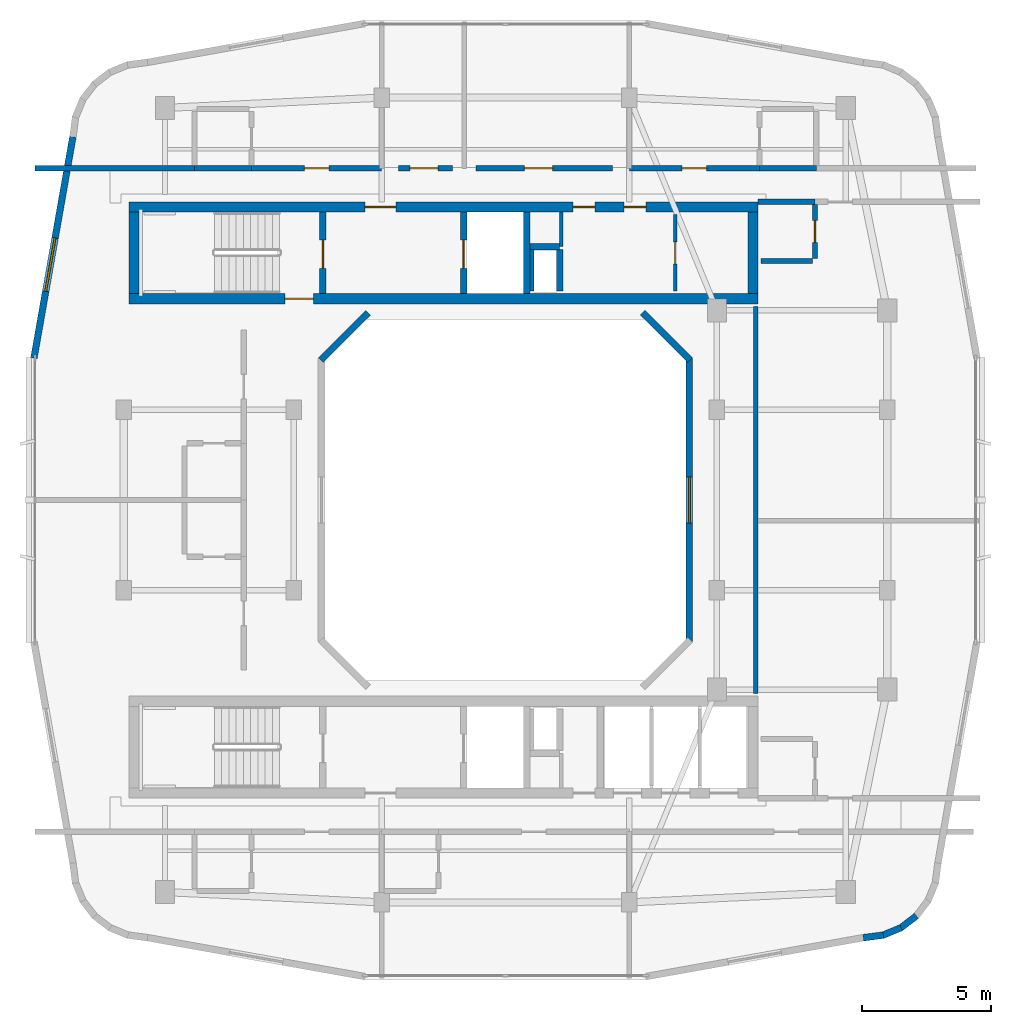
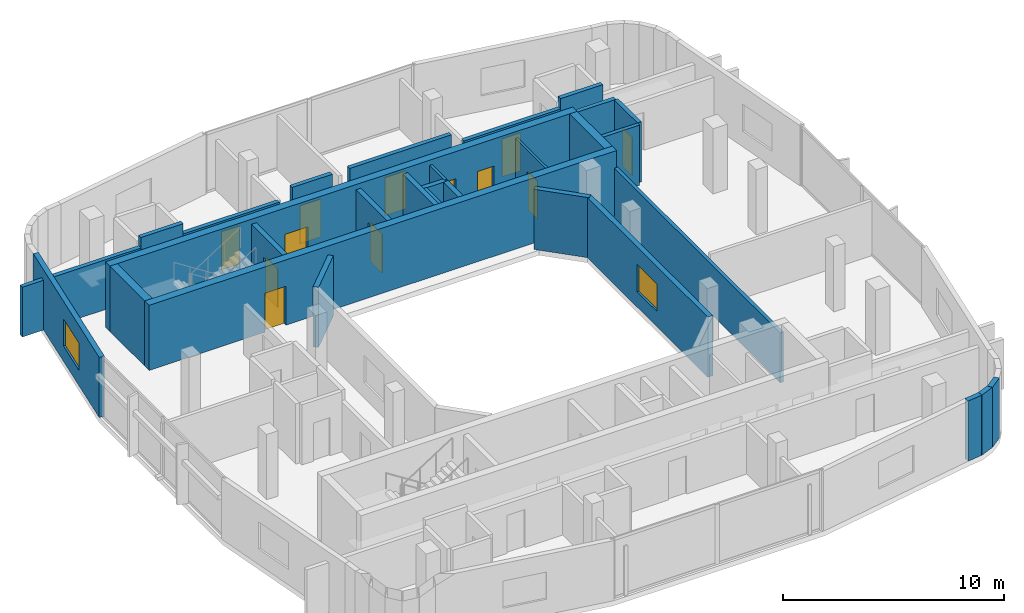
# One storey, part 6 of 10: 30 walls, 12 doors, 2 windows, 14 openings.
"""IFC4 building model written with IfcOpenShell, lengths in metres."""

from ifc_helpers import new_model, si_unit, derived_unit, direction, frame, frame_2d, origin, place, context, subcontext, project, spatial, rectangle, extrude, material, layer, layer_set, type_object, element, fill, save


model = new_model("IFC4")

# Units and contexts
model_context = context("Model", 3, precision=1e-05, world=origin(), true_north=direction((0.0, 1.0)))
body_context = subcontext(model_context, "Body", "Model", "MODEL_VIEW")
ifc_project = project(units=[si_unit("LENGTHUNIT", "METRE"), si_unit("AREAUNIT", "SQUARE_METRE"), si_unit("VOLUMEUNIT", "CUBIC_METRE"), si_unit("PLANEANGLEUNIT", "RADIAN"), si_unit("MASSUNIT", "GRAM", prefix="KILO"), derived_unit("THERMALTRANSMITTANCEUNIT", [(si_unit("POWERUNIT", "WATT"), 1), (si_unit("LENGTHUNIT", "METRE"), -2), (si_unit("THERMODYNAMICTEMPERATUREUNIT", "KELVIN"), -1)])], contexts=[model_context])

# Site, building, storey
site_placement = place(None, origin())
site = spatial("IfcSite", under=ifc_project, at=site_placement, CompositionType="ELEMENT")
building_placement = place(site_placement, origin())
building = spatial("IfcBuilding", under=site, at=building_placement, Name="Kivonza Crest Hotel", CompositionType="ELEMENT")
storey_placement = place(building_placement, frame((0.0, 0.0, 246.800048828125)))
storey = spatial("IfcBuildingStorey", under=building, at=storey_placement, Name="L67", CompositionType="ELEMENT", Elevation=246.800048828125)

# Walls
ifc_material_1 = material(Name="High-density acoustic masonry inter-tenancy wall", Category="masonry")
ifc_layer_1 = layer(ifc_material_1, 0.179931640625)
ifc_layer_set_1 = layer_set([ifc_layer_1], Name="High-density acoustic masonry inter-tenancy wall")
wall_type_1 = type_object("IfcWallType", Name="WL-ACOU-180", PredefinedType="SOLIDWALL", material=ifc_layer_set_1)
wall_1_placement = place(storey_placement, frame((30.7099609375, 17.5, 0.0), z_axis=(0.0, 0.0, 1.0), x_axis=(0.0, 1.0, 0.0)))
element("IfcWall", 1, at=wall_1_placement, inside=storey, type_object=wall_type_1, Name="L67 interior partition WA-L67-T1EC-W", PredefinedType="SOLIDWALL", context=body_context, shape_type="SweptSolid", body=[
    extrude(rectangle(XDim=15.0, YDim=0.179931640625, at=frame_2d((7.5, 0.0))), origin(), (0.0, 0.0, 1.0), 2.744873046875),
])
ifc_material_2 = material(Name="Autoclaved aerated concrete blockwork", Category="masonry")
ifc_layer_2 = layer(ifc_material_2, 0.219970703125)
ifc_layer_set_2 = layer_set([ifc_layer_2], Name="Autoclaved aerated concrete blockwork")
wall_type_2 = type_object("IfcWallType", Name="WL-ACOU-220", PredefinedType="SOLIDWALL", material=ifc_layer_set_2)
wall_2_placement = place(storey_placement, frame((2.760009765625, 37.860107421875, 0.0), z_axis=(0.0, 0.0, 1.0), x_axis=(1.0, 0.0, 0.0)))
element("IfcWall", 2, at=wall_2_placement, inside=storey, type_object=wall_type_2, Name="L67 interior partition WA-L67-N01-XCORR", PredefinedType="SOLIDWALL", context=body_context, shape_type="SweptSolid", body=[
    extrude(rectangle(XDim=6.18994140625, YDim=0.219970703125, at=frame_2d((3.094970703125, 0.0))), origin(), (0.0, 0.0, 1.0), 2.744873046875),
])
wall_3_placement = place(storey_placement, frame((8.949951171875, 37.860107421875, 0.0), z_axis=(0.0, 0.0, 1.0), x_axis=(1.0, 0.0, 0.0)))
element("IfcWall", 3, at=wall_3_placement, inside=storey, type_object=wall_type_2, Name="L67 interior partition WA-L67-N01-BCORR", PredefinedType="SOLIDWALL", context=body_context, shape_type="SweptSolid", body=[
    extrude(rectangle(XDim=2.199951171875, YDim=0.219970703125, at=frame_2d((1.10009765625, 0.0))), origin(), (0.0, 0.0, 1.0), 3.320068359375),
])

# Wall, opening, door
wall_4_placement = place(storey_placement, frame((11.14990234375, 37.860107421875, 0.0), z_axis=(0.0, 0.0, 1.0), x_axis=(1.0, 0.0, 0.0)))
wall_4 = element("IfcWall", 4, at=wall_4_placement, inside=storey, type_object=wall_type_2, Name="L67 interior partition WA-L67-N01-MCORR", PredefinedType="SOLIDWALL", context=body_context, shape_type="SweptSolid", body=[
    extrude(rectangle(XDim=5.050048828125, YDim=0.219970703125, at=frame_2d((2.52490234375, 0.0))), origin(), (0.0, 0.0, 1.0), 2.744873046875),
])
opening_1_placement = place(wall_4_placement, frame((2.050048828125, 0.0, 0.0)))
opening_1 = element("IfcOpeningElement", 5, at=opening_1_placement, cuts=wall_4, Name="Opening DU-60", PredefinedType="OPENING", context=body_context, shape_type="SweptSolid", body=[
    extrude(rectangle(XDim=0.949951171875, YDim=2.10009765625, at=frame_2d((0.47509765625, 1.050048828125))), frame((0.0, 0.1201171875, 0.0), z_axis=(0.0, -1.0, 0.0), x_axis=(1.0, 0.0, 0.0)), (0.0, 0.0, 1.0), 0.239990234375),
])
ifc_material_3 = material(Name="Hardwood timber oak", Category="wood")
door_type_1 = type_object("IfcDoorType", Name="DR-UNIT-950", OperationType="NOTDEFINED", PredefinedType="DOOR", material=ifc_material_3)
door_1_placement = place(opening_1_placement, origin())
door_1 = element("IfcDoor", 6, at=door_1_placement, inside=storey, type_object=door_type_1, Name="L67 N01 guest unit entrance fire door", OperationType="SINGLE_SWING_LEFT", OverallHeight=2.10009765625, OverallWidth=0.949951171875, PredefinedType="DOOR", context=body_context, shape_type="SweptSolid", body=[
    extrude(rectangle(XDim=0.949951171875, YDim=2.10009765625, at=frame_2d((0.47509765625, 1.050048828125))), frame((0.0, 0.02490234375, 0.0), z_axis=(0.0, -1.0, 0.0), x_axis=(1.0, 0.0, 0.0)), (0.0, 0.0, 1.0), 0.050048828125),
])
fill(opening_1, door_1)

wall_5_placement = place(storey_placement, frame((16.85009765625, 37.860107421875, 0.0), z_axis=(0.0, 0.0, 1.0), x_axis=(1.0, 0.0, 0.0)))
wall_5 = element("IfcWall", 7, at=wall_5_placement, inside=storey, type_object=wall_type_2, Name="L67 interior partition WA-L67-Z4-KIT1-S", PredefinedType="SOLIDWALL", context=body_context, shape_type="SweptSolid", body=[
    extrude(rectangle(XDim=2.099853515625, YDim=0.219970703125, at=frame_2d((1.0498046875, 0.0))), origin(), (0.0, 0.0, 1.0), 3.320068359375),
])
opening_2_placement = place(wall_5_placement, frame((0.43994140625, 0.0, 0.0)))
opening_2 = element("IfcOpeningElement", 8, at=opening_2_placement, cuts=wall_5, Name="Opening DF-60M", PredefinedType="OPENING", context=body_context, shape_type="SweptSolid", body=[
    extrude(rectangle(XDim=1.10009765625, YDim=2.10009765625, at=frame_2d((0.550048828125, 1.050048828125))), frame((0.0, 0.1201171875, 0.0), z_axis=(0.0, -1.0, 0.0), x_axis=(1.0, 0.0, 0.0)), (0.0, 0.0, 1.0), 0.239990234375),
])
door_type_2 = type_object("IfcDoorType", Name="DR-FD60-1100", OperationType="NOTDEFINED", PredefinedType="DOOR", material=ifc_material_3)
door_2_placement = place(opening_2_placement, origin())
door_2 = element("IfcDoor", 9, at=door_2_placement, inside=storey, type_object=door_type_2, Name="L67 Crown Private Catering Kitchen door", OperationType="SINGLE_SWING_RIGHT", OverallHeight=2.10009765625, OverallWidth=1.10009765625, PredefinedType="DOOR", context=body_context, shape_type="SweptSolid", body=[
    extrude(rectangle(XDim=1.10009765625, YDim=2.10009765625, at=frame_2d((0.550048828125, 1.050048828125))), frame((0.0, 0.02490234375, 0.0), z_axis=(0.0, -1.0, 0.0), x_axis=(1.0, 0.0, 0.0)), (0.0, 0.0, 1.0), 0.050048828125),
])
fill(opening_2, door_2)

wall_6_placement = place(storey_placement, frame((19.85009765625, 37.860107421875, 0.0), z_axis=(0.0, 0.0, 1.0), x_axis=(1.0, 0.0, 0.0)))
wall_6 = element("IfcWall", 10, at=wall_6_placement, inside=storey, type_object=wall_type_2, Name="L67 interior partition WA-L67-Z4-KIT2-S", PredefinedType="SOLIDWALL", context=body_context, shape_type="SweptSolid", body=[
    extrude(rectangle(XDim=5.2998046875, YDim=0.219970703125, at=frame_2d((2.64990234375, 0.0))), origin(), (0.0, 0.0, 1.0), 3.320068359375),
])
opening_3_placement = place(wall_6_placement, frame((1.8798828125, 0.0, 0.0)))
opening_3 = element("IfcOpeningElement", 11, at=opening_3_placement, cuts=wall_6, Name="Opening DF-60M", PredefinedType="OPENING", context=body_context, shape_type="SweptSolid", body=[
    extrude(rectangle(XDim=1.10009765625, YDim=2.10009765625, at=frame_2d((0.550048828125, 1.050048828125))), frame((0.0, 0.1201171875, 0.0), z_axis=(0.0, -1.0, 0.0), x_axis=(1.0, 0.0, 0.0)), (0.0, 0.0, 1.0), 0.239990234375),
])
door_3_placement = place(opening_3_placement, origin())
door_3 = element("IfcDoor", 12, at=door_3_placement, inside=storey, type_object=door_type_2, Name="L67 Crown Sommelier Tasting Kitchen door", OperationType="SINGLE_SWING_LEFT", OverallHeight=2.10009765625, OverallWidth=1.10009765625, PredefinedType="DOOR", context=body_context, shape_type="SweptSolid", body=[
    extrude(rectangle(XDim=1.10009765625, YDim=2.10009765625, at=frame_2d((0.550048828125, 1.050048828125))), frame((0.0, 0.02490234375, 0.0), z_axis=(0.0, -1.0, 0.0), x_axis=(1.0, 0.0, 0.0)), (0.0, 0.0, 1.0), 0.050048828125),
])
fill(opening_3, door_3)

# Wall
wall_7_placement = place(storey_placement, frame((30.85009765625, 37.860107421875, 0.0), z_axis=(0.0, 0.0, 1.0), x_axis=(1.0, 0.0, 0.0)))
element("IfcWall", 13, at=wall_7_placement, inside=storey, type_object=wall_type_2, Name="L67 interior partition WA-L67-N02-BCORR", PredefinedType="SOLIDWALL", context=body_context, shape_type="SweptSolid", body=[
    extrude(rectangle(XDim=2.199951171875, YDim=0.219970703125, at=frame_2d((1.10009765625, 0.0))), origin(), (0.0, 0.0, 1.0), 3.320068359375),
])

# Wall, opening, door
wall_8_placement = place(storey_placement, frame((25.800048828125, 37.860107421875, 0.0), z_axis=(0.0, 0.0, 1.0), x_axis=(1.0, 0.0, 0.0)))
wall_8 = element("IfcWall", 14, at=wall_8_placement, inside=storey, type_object=wall_type_2, Name="L67 interior partition WA-L67-N02-MCORR", PredefinedType="SOLIDWALL", context=body_context, shape_type="SweptSolid", body=[
    extrude(rectangle(XDim=5.050048828125, YDim=0.219970703125, at=frame_2d((2.52490234375, 0.0))), origin(), (0.0, 0.0, 1.0), 2.744873046875),
])
opening_4_placement = place(wall_8_placement, frame((2.050048828125, 0.0, 0.0)))
opening_4 = element("IfcOpeningElement", 15, at=opening_4_placement, cuts=wall_8, Name="Opening DU-60", PredefinedType="OPENING", context=body_context, shape_type="SweptSolid", body=[
    extrude(rectangle(XDim=0.949951171875, YDim=2.10009765625, at=frame_2d((0.47509765625, 1.050048828125))), frame((0.0, 0.1201171875, 0.0), z_axis=(0.0, -1.0, 0.0), x_axis=(1.0, 0.0, 0.0)), (0.0, 0.0, 1.0), 0.239990234375),
])
door_4_placement = place(opening_4_placement, origin())
door_4 = element("IfcDoor", 16, at=door_4_placement, inside=storey, type_object=door_type_1, Name="L67 N02 guest unit entrance fire door", OperationType="SINGLE_SWING_RIGHT", OverallHeight=2.10009765625, OverallWidth=0.949951171875, PredefinedType="DOOR", context=body_context, shape_type="SweptSolid", body=[
    extrude(rectangle(XDim=0.949951171875, YDim=2.10009765625, at=frame_2d((0.47509765625, 1.050048828125))), frame((0.0, 0.02490234375, 0.0), z_axis=(0.0, -1.0, 0.0), x_axis=(1.0, 0.0, 0.0)), (0.0, 0.0, 1.0), 0.050048828125),
])
fill(opening_4, door_4)

# Wall
wall_9_placement = place(storey_placement, frame((30.800048828125, 36.56005859375, 0.0), z_axis=(0.0, 0.0, 1.0), x_axis=(1.0, 0.0, 0.0)))
element("IfcWall", 17, at=wall_9_placement, inside=storey, type_object=wall_type_2, Name="L67 interior partition WA-L67-EN08-BCORR", PredefinedType="SOLIDWALL", context=body_context, shape_type="SweptSolid", body=[
    extrude(rectangle(XDim=2.199951171875, YDim=0.219970703125, at=frame_2d((1.10009765625, 0.0))), origin(), (0.0, 0.0, 1.0), 3.320068359375),
])

# Wall, opening, door
ifc_material_4 = material(Name="Concrete C50/60", Category="concrete")
ifc_layer_3 = layer(ifc_material_4, 0.39990234375)
ifc_layer_set_3 = layer_set([ifc_layer_3], Name="Concrete C50/60")
wall_type_3 = type_object("IfcWallType", Name="WL-CORE-400", PredefinedType="SHEAR", material=ifc_layer_set_3)
wall_10_placement = place(storey_placement, frame((6.39990234375, 32.800048828125, 0.0), z_axis=(0.0, 0.0, 1.0), x_axis=(1.0, 0.0, 0.0)))
wall_10 = element("IfcWall", 18, at=wall_10_placement, inside=storey, type_object=wall_type_3, Name="Core wall T1-N South L67", PredefinedType="SHEAR", context=body_context, shape_type="SweptSolid", body=[
    extrude(rectangle(XDim=24.400146484375, YDim=0.39990234375, at=frame_2d((12.2001953125, 0.0))), origin(), (0.0, 0.0, 1.0), 3.599853515625),
])
opening_5_placement = place(wall_10_placement, frame((6.050048828125, 0.0, 0.0)))
opening_5 = element("IfcOpeningElement", 19, at=opening_5_placement, cuts=wall_10, Name="Opening DF-120", PredefinedType="OPENING", context=body_context, shape_type="SweptSolid", body=[
    extrude(rectangle(XDim=1.10009765625, YDim=2.14990234375, at=frame_2d((0.550048828125, 1.074951171875))), frame((0.0, 0.2099609375, 0.0), z_axis=(0.0, -1.0, 0.0), x_axis=(1.0, 0.0, 0.0)), (0.0, 0.0, 1.0), 0.419921875),
])
ifc_material_5 = material(Name="Galvanised steel", Category="steel")
door_type_3 = type_object("IfcDoorType", Name="DR-FD120-1100", OperationType="NOTDEFINED", PredefinedType="DOOR", material=ifc_material_5)
door_5_placement = place(opening_5_placement, origin())
door_5 = element("IfcDoor", 20, at=door_5_placement, inside=storey, type_object=door_type_3, Name="L67 West corridor stair access fire door", OperationType="SINGLE_SWING_LEFT", OverallHeight=2.14990234375, OverallWidth=1.10009765625, PredefinedType="DOOR", context=body_context, shape_type="SweptSolid", body=[
    extrude(rectangle(XDim=1.10009765625, YDim=2.14990234375, at=frame_2d((0.550048828125, 1.074951171875))), frame((0.0, 0.02490234375, 0.0), z_axis=(0.0, -1.0, 0.0), x_axis=(1.0, 0.0, 0.0)), (0.0, 0.0, 1.0), 0.050048828125),
])
fill(opening_5, door_5)

# Wall, openings, doors
wall_11_placement = place(storey_placement, frame((6.39990234375, 36.360107421875, 0.0), z_axis=(0.0, 0.0, 1.0), x_axis=(1.0, 0.0, 0.0)))
wall_11 = element("IfcWall", 21, at=wall_11_placement, inside=storey, type_object=wall_type_3, Name="Core wall T1-N North L67", PredefinedType="SHEAR", context=body_context, shape_type="SweptSolid", body=[
    extrude(rectangle(XDim=24.400146484375, YDim=0.39990234375, at=frame_2d((12.2001953125, 0.0))), origin(), (0.0, 0.0, 1.0), 3.599853515625),
])
opening_6_placement = place(wall_11_placement, frame((9.14990234375, 0.0, 0.0)))
opening_6 = element("IfcOpeningElement", 22, at=opening_6_placement, cuts=wall_11, Name="Opening DF-60", PredefinedType="OPENING", context=body_context, shape_type="SweptSolid", body=[
    extrude(rectangle(XDim=1.199951171875, YDim=2.14990234375, at=frame_2d((0.60009765625, 1.074951171875))), frame((0.0, 0.2099609375, 0.0), z_axis=(0.0, -1.0, 0.0), x_axis=(1.0, 0.0, 0.0)), (0.0, 0.0, 1.0), 0.419921875),
])
opening_7_placement = place(wall_11_placement, frame((19.199951171875, 0.0, 0.0)))
opening_7 = element("IfcOpeningElement", 23, at=opening_7_placement, cuts=wall_11, Name="Opening DF-60R", PredefinedType="OPENING", context=body_context, shape_type="SweptSolid", body=[
    extrude(rectangle(XDim=0.85009765625, YDim=2.10009765625, at=frame_2d((0.425048828125, 1.050048828125))), frame((0.0, 0.2099609375, 0.0), z_axis=(0.0, -1.0, 0.0), x_axis=(1.0, 0.0, 0.0)), (0.0, 0.0, 1.0), 0.419921875),
])
opening_8_placement = place(wall_11_placement, frame((17.219970703125, 0.0, 0.0)))
opening_8 = element("IfcOpeningElement", 24, at=opening_8_placement, cuts=wall_11, Name="Opening DF-60R", PredefinedType="OPENING", context=body_context, shape_type="SweptSolid", body=[
    extrude(rectangle(XDim=0.85009765625, YDim=2.10009765625, at=frame_2d((0.425048828125, 1.050048828125))), frame((0.0, 0.2099609375, 0.0), z_axis=(0.0, -1.0, 0.0), x_axis=(1.0, 0.0, 0.0)), (0.0, 0.0, 1.0), 0.419921875),
])
door_type_4 = type_object("IfcDoorType", Name="DR-FD60-1200", OperationType="NOTDEFINED", PredefinedType="DOOR", material=ifc_material_3)
door_6_placement = place(opening_6_placement, origin())
door_6 = element("IfcDoor", 25, at=door_6_placement, inside=storey, type_object=door_type_4, Name="L67 T1-N firefighting lobby fire door", OperationType="SINGLE_SWING_RIGHT", OverallHeight=2.14990234375, OverallWidth=1.199951171875, PredefinedType="DOOR", context=body_context, shape_type="SweptSolid", body=[
    extrude(rectangle(XDim=1.199951171875, YDim=2.14990234375, at=frame_2d((0.60009765625, 1.074951171875))), frame((0.0, 0.02490234375, 0.0), z_axis=(0.0, -1.0, 0.0), x_axis=(1.0, 0.0, 0.0)), (0.0, 0.0, 1.0), 0.050048828125),
])
fill(opening_6, door_6)
door_type_5 = type_object("IfcDoorType", Name="DR-FD60-850", OperationType="NOTDEFINED", PredefinedType="DOOR", material=ifc_material_3)
door_7_placement = place(opening_7_placement, origin())
door_7 = element("IfcDoor", 26, at=door_7_placement, inside=storey, type_object=door_type_5, Name="L67 T1-N reclaimed core service door", OperationType="SINGLE_SWING_LEFT", OverallHeight=2.10009765625, OverallWidth=0.85009765625, PredefinedType="DOOR", context=body_context, shape_type="SweptSolid", body=[
    extrude(rectangle(XDim=0.85009765625, YDim=2.10009765625, at=frame_2d((0.425048828125, 1.050048828125))), frame((0.0, 0.02490234375, 0.0), z_axis=(0.0, -1.0, 0.0), x_axis=(1.0, 0.0, 0.0)), (0.0, 0.0, 1.0), 0.050048828125),
])
fill(opening_7, door_7)
door_8_placement = place(opening_8_placement, origin())
door_8 = element("IfcDoor", 27, at=door_8_placement, inside=storey, type_object=door_type_5, Name="L67 T1-N core room door", OperationType="SINGLE_SWING_RIGHT", OverallHeight=2.10009765625, OverallWidth=0.85009765625, PredefinedType="DOOR", context=body_context, shape_type="SweptSolid", body=[
    extrude(rectangle(XDim=0.85009765625, YDim=2.10009765625, at=frame_2d((0.425048828125, 1.050048828125))), frame((0.0, 0.02490234375, 0.0), z_axis=(0.0, -1.0, 0.0), x_axis=(1.0, 0.0, 0.0)), (0.0, 0.0, 1.0), 0.050048828125),
])
fill(opening_8, door_8)

# Walls
for number, where, z_axis, x_axis, name in (
    (28, (6.60009765625, 33.0, 0.0), (0.0, 0.0, 1.0), (0.0, 1.0, 0.0), "Core wall T1-N West L67"),
    (29, (30.60009765625, 33.0, 0.0), (0.0, 0.0, 1.0), (0.0, 1.0, 0.0), "Core wall T1-N East L67"),
):
    element("IfcWall", number, at=place(storey_placement, frame(where, z_axis=z_axis, x_axis=x_axis)), inside=storey, type_object=wall_type_3, Name=name, PredefinedType="SHEAR", context=body_context, shape_type="SweptSolid", body=[
        extrude(rectangle(XDim=3.159912109375, YDim=0.39990234375, at=frame_2d((1.580078125, 0.0))), origin(), (0.0, 0.0, 1.0), 3.599853515625),
    ])
ifc_material_6 = material(Name="Precast concrete C40/50", Category="concrete")
ifc_layer_4 = layer(ifc_material_6, 0.260009765625)
ifc_layer_set_4 = layer_set([ifc_layer_4], Name="Precast concrete C40/50")
wall_type_4 = type_object("IfcWallType", Name="WL-EXT-260", PredefinedType="STANDARD", material=ifc_layer_set_4)
wall_12_placement = place(storey_placement, frame((34.875, 8.028076171875, 0.0), z_axis=(0.0, 0.0, 1.0), x_axis=(0.991458553189, 0.130422150372, 0.0)))
element("IfcWall", 30, at=wall_12_placement, inside=storey, type_object=wall_type_4, Name="L67 T1 exterior insulated wall 10", PredefinedType="STANDARD", context=body_context, shape_type="SweptSolid", body=[
    extrude(rectangle(XDim=0.780517578125, YDim=0.260009765625, at=frame_2d((0.39013671875, 0.0))), origin(), (0.0, 0.0, 1.0), 3.320068359375),
])
wall_13_placement = place(storey_placement, frame((35.60302734375, 8.112060546875, 0.0), z_axis=(0.0, 0.0, 1.0), x_axis=(0.923789573295, 0.382900540965, 0.0)))
element("IfcWall", 31, at=wall_13_placement, inside=storey, type_object=wall_type_4, Name="L67 T1 exterior insulated wall 11", PredefinedType="STANDARD", context=body_context, shape_type="SweptSolid", body=[
    extrude(rectangle(XDim=0.798828125, YDim=0.260009765625, at=frame_2d((0.3994140625, 0.0))), origin(), (0.0, 0.0, 1.0), 3.320068359375),
])
wall_14_placement = place(storey_placement, frame((36.301025390625, 8.389892578125, 0.0), z_axis=(0.0, 0.0, 1.0), x_axis=(0.793158129381, 0.609015748398, 0.0)))
element("IfcWall", 32, at=wall_14_placement, inside=storey, type_object=wall_type_4, Name="L67 T1 exterior insulated wall 12", PredefinedType="STANDARD", context=body_context, shape_type="SweptSolid", body=[
    extrude(rectangle(XDim=0.798095703125, YDim=0.260009765625, at=frame_2d((0.39892578125, 0.0))), origin(), (0.0, 0.0, 1.0), 3.320068359375),
])

# Wall, opening, window
wall_15_placement = place(storey_placement, frame((4.22900390625, 39.0849609375, 0.0), z_axis=(0.0, 0.0, 1.0), x_axis=(-0.173396937698, -0.984852020355, 0.0)))
wall_15 = element("IfcWall", 33, at=wall_15_placement, inside=storey, type_object=wall_type_4, Name="L67 T1 exterior insulated wall 34", PredefinedType="STANDARD", context=body_context, shape_type="SweptSolid", body=[
    extrude(rectangle(XDim=8.714111328125, YDim=0.260009765625, at=frame_2d((4.35693359375, 0.0))), origin(), (0.0, 0.0, 1.0), 3.320068359375),
])
opening_9_placement = place(wall_15_placement, frame((3.987060546875, 0.0, 0.85009765625)))
opening_9 = element("IfcOpeningElement", 34, at=opening_9_placement, cuts=wall_15, Name="Opening WN-04", PredefinedType="OPENING", context=body_context, shape_type="SweptSolid", body=[
    extrude(rectangle(XDim=2.10009765625, YDim=1.5, at=frame_2d((1.050048828125, 0.75))), frame((0.0, 0.14013671875, 0.0), z_axis=(0.0, -1.0, 0.0), x_axis=(1.0, 0.0, 0.0)), (0.0, 0.0, 1.0), 0.280029296875),
])
ifc_material_7 = material(Name="Thermally broken bronze aluminium and low-E double glazing", Category="aluminium")
window_type_1 = type_object("IfcWindowType", Name="WN-210x150", PartitioningType="DOUBLE_PANEL_VERTICAL", PredefinedType="WINDOW", material=ifc_material_7)
window_1_placement = place(opening_9_placement, origin())
window_1 = element("IfcWindow", 35, at=window_1_placement, inside=storey, type_object=window_type_1, Name="L67 T1 facade window 34", OverallHeight=1.5, OverallWidth=2.10009765625, PartitioningType="SINGLE_PANEL", PredefinedType="WINDOW", context=body_context, shape_type="SweptSolid", body=[
    extrude(rectangle(XDim=2.10009765625, YDim=1.5, at=frame_2d((1.050048828125, 0.75))), frame((0.0, 0.030029296875, 0.0), z_axis=(0.0, -1.0, 0.0), x_axis=(1.0, 0.0, 0.0)), (0.0, 0.0, 1.0), 0.06005859375),
])
fill(opening_9, window_1)

wall_16_placement = place(storey_placement, frame((28.1298828125, 19.510009765625, 0.0), z_axis=(0.0, 0.0, 1.0), x_axis=(0.0, 1.0, 0.0)))
wall_16 = element("IfcWall", 36, at=wall_16_placement, inside=storey, type_object=wall_type_4, Name="L67 T1 light-well exterior wall 3", PredefinedType="STANDARD", context=body_context, shape_type="SweptSolid", body=[
    extrude(rectangle(XDim=10.97998046875, YDim=0.260009765625, at=frame_2d((5.489990234375, 0.0))), origin(), (0.0, 0.0, 1.0), 3.320068359375),
])
opening_10_placement = place(wall_16_placement, frame((4.590087890625, 0.0, 0.85009765625)))
opening_10 = element("IfcOpeningElement", 37, at=opening_10_placement, cuts=wall_16, Name="Opening WN-03", PredefinedType="OPENING", context=body_context, shape_type="SweptSolid", body=[
    extrude(rectangle(XDim=1.800048828125, YDim=1.5, at=frame_2d((0.89990234375, 0.75))), frame((0.0, 0.14013671875, 0.0), z_axis=(0.0, -1.0, 0.0), x_axis=(1.0, 0.0, 0.0)), (0.0, 0.0, 1.0), 0.280029296875),
])
window_type_2 = type_object("IfcWindowType", Name="WN-180x150", PartitioningType="DOUBLE_PANEL_VERTICAL", PredefinedType="WINDOW", material=ifc_material_7)
window_2_placement = place(opening_10_placement, origin())
window_2 = element("IfcWindow", 38, at=window_2_placement, inside=storey, type_object=window_type_2, Name="L67 T1 light-well window 3", OverallHeight=1.5, OverallWidth=1.800048828125, PartitioningType="SINGLE_PANEL", PredefinedType="WINDOW", context=body_context, shape_type="SweptSolid", body=[
    extrude(rectangle(XDim=1.800048828125, YDim=1.5, at=frame_2d((0.89990234375, 0.75))), frame((0.0, 0.030029296875, 0.0), z_axis=(0.0, -1.0, 0.0), x_axis=(1.0, 0.0, 0.0)), (0.0, 0.0, 1.0), 0.06005859375),
])
fill(opening_10, window_2)

# Walls
for number, where, z_axis, x_axis, name in (
    (39, (28.156005859375, 30.427978515625, 0.0), (0.0, 0.0, 1.0), (-0.707106781187, 0.707106781187, 0.0), "L67 T1 light-well exterior wall 4"),
    (40, (15.677978515625, 32.261962890625, 0.0), (0.0, 0.0, 1.0), (-0.707106781187, -0.707106781187, 0.0), "L67 T1 light-well exterior wall 6"),
):
    element("IfcWall", number, at=place(storey_placement, frame(where, z_axis=z_axis, x_axis=x_axis)), inside=storey, type_object=wall_type_4, Name=name, PredefinedType="STANDARD", context=body_context, shape_type="SweptSolid", body=[
        extrude(rectangle(XDim=2.59375, YDim=0.260009765625, at=frame_2d((1.296875, 0.0))), origin(), (0.0, 0.0, 1.0), 3.320068359375),
    ])
ifc_material_8 = material(Name="Concrete blockwork fire-compartment wall", Category="masonry")
ifc_layer_5 = layer(ifc_material_8, 0.25)
ifc_layer_set_5 = layer_set([ifc_layer_5], Name="Concrete blockwork fire-compartment wall")
wall_type_5 = type_object("IfcWallType", Name="WL-FIRE-250", PredefinedType="SOLIDWALL", material=ifc_layer_set_5)
wall_17_placement = place(storey_placement, frame((23.10009765625, 33.10009765625, 0.0), z_axis=(0.0, 0.0, 1.0), x_axis=(0.0, 1.0, 0.0)))
element("IfcWall", 41, at=wall_17_placement, inside=storey, type_object=wall_type_5, Name="L67 interior partition WA-L67-T1-N-MEPR-E", PredefinedType="SOLIDWALL", context=body_context, shape_type="SweptSolid", body=[
    extrude(rectangle(XDim=1.619873046875, YDim=0.25, at=frame_2d((0.81005859375, 0.0))), origin(), (0.0, 0.0, 1.0), 3.320068359375),
])
wall_18_placement = place(storey_placement, frame((21.949951171875, 34.820068359375, 0.0), z_axis=(0.0, 0.0, 1.0), x_axis=(1.0, 0.0, 0.0)))
element("IfcWall", 42, at=wall_18_placement, inside=storey, type_object=wall_type_5, Name="L67 interior partition WA-L67-T1-N-MEPR-H", PredefinedType="SOLIDWALL", context=body_context, shape_type="SweptSolid", body=[
    extrude(rectangle(XDim=1.150146484375, YDim=0.25, at=frame_2d((0.5751953125, 0.0))), origin(), (0.0, 0.0, 1.0), 3.320068359375),
])

# Wall, opening, door
ifc_material_9 = material(Name="Metal-stud gypsum board partition", Category="gypsum")
ifc_layer_6 = layer(ifc_material_9, 0.125)
ifc_layer_set_6 = layer_set([ifc_layer_6], Name="Metal-stud gypsum board partition")
wall_type_6 = type_object("IfcWallType", Name="WL-PART-125", PredefinedType="PARTITIONING", material=ifc_layer_set_6)
wall_19_placement = place(storey_placement, frame((27.580078125, 33.10009765625, 0.0), z_axis=(0.0, 0.0, 1.0), x_axis=(0.0, 1.0, 0.0)))
wall_19 = element("IfcWall", 43, at=wall_19_placement, inside=storey, type_object=wall_type_6, Name="L67 interior partition WP-L67-T1-N-RECL", PredefinedType="PARTITIONING", context=body_context, shape_type="SweptSolid", body=[
    extrude(rectangle(XDim=2.9599609375, YDim=0.125, at=frame_2d((1.47998046875, 0.0))), origin(), (0.0, 0.0, 1.0), 3.320068359375),
])
opening_11_placement = place(wall_19_placement, frame((1.054931640625, 0.0, 0.0)))
opening_11 = element("IfcOpeningElement", 44, at=opening_11_placement, cuts=wall_19, Name="Opening DI-85", PredefinedType="OPENING", context=body_context, shape_type="SweptSolid", body=[
    extrude(rectangle(XDim=0.85009765625, YDim=2.10009765625, at=frame_2d((0.425048828125, 1.050048828125))), frame((0.0, 0.072509765625, 0.0), z_axis=(0.0, -1.0, 0.0), x_axis=(1.0, 0.0, 0.0)), (0.0, 0.0, 1.0), 0.14501953125),
])
door_type_6 = type_object("IfcDoorType", Name="DR-INT-850", OperationType="NOTDEFINED", PredefinedType="DOOR", material=ifc_material_3)
door_9_placement = place(opening_11_placement, origin())
door_9 = element("IfcDoor", 45, at=door_9_placement, inside=storey, type_object=door_type_6, Name="L67 T1-N reclaimed inner pantry door", OperationType="SINGLE_SWING_LEFT", OverallHeight=2.10009765625, OverallWidth=0.85009765625, PredefinedType="DOOR", context=body_context, shape_type="SweptSolid", body=[
    extrude(rectangle(XDim=0.85009765625, YDim=2.10009765625, at=frame_2d((0.425048828125, 1.050048828125))), frame((0.0, 0.02490234375, 0.0), z_axis=(0.0, -1.0, 0.0), x_axis=(1.0, 0.0, 0.0)), (0.0, 0.0, 1.0), 0.050048828125),
])
fill(opening_11, door_9)

# Walls
wall_20_placement = place(storey_placement, frame((23.159912109375, 34.820068359375, 0.0), z_axis=(0.0, 0.0, 1.0), x_axis=(0.0, 1.0, 0.0)))
element("IfcWall", 46, at=wall_20_placement, inside=storey, type_object=wall_type_6, Name="L67 interior partition WP-L67-T1-N-SV1V", PredefinedType="PARTITIONING", context=body_context, shape_type="SweptSolid", body=[
    extrude(rectangle(XDim=1.33984375, YDim=0.125, at=frame_2d((0.669921875, 0.0))), origin(), (0.0, 0.0, 1.0), 3.320068359375),
])
ifc_material_10 = material(Name="Twin-stud acoustic gypsum board partition", Category="gypsum")
ifc_layer_7 = layer(ifc_material_10, 0.14990234375)
ifc_layer_set_7 = layer_set([ifc_layer_7], Name="Twin-stud acoustic gypsum board partition")
wall_type_7 = type_object("IfcWallType", Name="WL-PART-150", PredefinedType="PARTITIONING", material=ifc_layer_set_7)
wall_21_placement = place(storey_placement, frame((22.030029296875, 33.10009765625, 0.0), z_axis=(0.0, 0.0, 1.0), x_axis=(0.0, 1.0, 0.0)))
element("IfcWall", 47, at=wall_21_placement, inside=storey, type_object=wall_type_7, Name="L67 interior partition WA-L67-T1-N-MEPR-W", PredefinedType="PARTITIONING", context=body_context, shape_type="SweptSolid", body=[
    extrude(rectangle(XDim=1.619873046875, YDim=0.14990234375, at=frame_2d((0.81005859375, 0.0))), origin(), (0.0, 0.0, 1.0), 3.320068359375),
])

# Wall, opening, door
ifc_material_11 = material(Name="Moisture-resistant plumbing chase partition wall", Category="gypsum")
ifc_layer_8 = layer(ifc_material_11, 0.199951171875)
ifc_layer_set_8 = layer_set([ifc_layer_8], Name="Moisture-resistant plumbing chase partition wall")
wall_type_8 = type_object("IfcWallType", Name="WL-PLUMB-200", PredefinedType="PLUMBINGWALL", material=ifc_layer_set_8)
wall_22_placement = place(storey_placement, frame((33.0, 34.360107421875, 0.0), z_axis=(0.0, 0.0, 1.0), x_axis=(0.0, 1.0, 0.0)))
wall_22 = element("IfcWall", 48, at=wall_22_placement, inside=storey, type_object=wall_type_8, Name="L67 interior partition WW-L67-EN08-BV", PredefinedType="PLUMBINGWALL", context=body_context, shape_type="SweptSolid", body=[
    extrude(rectangle(XDim=2.099853515625, YDim=0.199951171875, at=frame_2d((1.0498046875, 0.0))), origin(), (0.0, 0.0, 1.0), 3.320068359375),
])
opening_12_placement = place(wall_22_placement, frame((0.625, 0.0, 0.0)))
opening_12 = element("IfcOpeningElement", 49, at=opening_12_placement, cuts=wall_22, Name="Opening DI-85", PredefinedType="OPENING", context=body_context, shape_type="SweptSolid", body=[
    extrude(rectangle(XDim=0.85009765625, YDim=2.10009765625, at=frame_2d((0.425048828125, 1.050048828125))), frame((0.0, 0.10986328125, 0.0), z_axis=(0.0, -1.0, 0.0), x_axis=(1.0, 0.0, 0.0)), (0.0, 0.0, 1.0), 0.219970703125),
])
door_10_placement = place(opening_12_placement, frame((0.85009765625, 0.0, 0.0), z_axis=(0.0, 0.0, 1.0), x_axis=(-1.0, 0.0, 0.0)))
door_10 = element("IfcDoor", 50, at=door_10_placement, inside=storey, type_object=door_type_6, Name="L67 EN08 en-suite bathroom door", OperationType="SINGLE_SWING_RIGHT", OverallHeight=2.10009765625, OverallWidth=0.85009765625, PredefinedType="DOOR", context=body_context, shape_type="SweptSolid", body=[
    extrude(rectangle(XDim=0.85009765625, YDim=2.10009765625, at=frame_2d((0.425048828125, 1.050048828125))), frame((0.0, 0.02490234375, 0.0), z_axis=(0.0, -1.0, 0.0), x_axis=(1.0, 0.0, 0.0)), (0.0, 0.0, 1.0), 0.050048828125),
])
fill(opening_12, door_10)

# Wall
wall_23_placement = place(storey_placement, frame((30.89990234375, 34.260009765625, 0.0), z_axis=(0.0, 0.0, 1.0), x_axis=(1.0, 0.0, 0.0)))
element("IfcWall", 51, at=wall_23_placement, inside=storey, type_object=wall_type_8, Name="L67 interior partition WW-L67-EN08-BH", PredefinedType="PLUMBINGWALL", context=body_context, shape_type="SweptSolid", body=[
    extrude(rectangle(XDim=2.0, YDim=0.199951171875, at=frame_2d((1.0, 0.0))), origin(), (0.0, 0.0, 1.0), 3.320068359375),
])

# Wall, opening, door
ifc_layer_9 = layer(ifc_material_4, 0.25)
ifc_layer_set_9 = layer_set([ifc_layer_9], Name="Concrete C50/60")
wall_type_9 = type_object("IfcWallType", Name="WL-SHAFT-250", PredefinedType="STANDARD", material=ifc_layer_set_9)
wall_24_placement = place(storey_placement, frame((13.925048828125, 33.0, 0.0), z_axis=(0.0, 0.0, 1.0), x_axis=(0.0, 1.0, 0.0)))
wall_24 = element("IfcWall", 52, at=wall_24_placement, inside=storey, type_object=wall_type_9, Name="Core shaft wall T1-N STAIR L67", PredefinedType="STANDARD", context=body_context, shape_type="SweptSolid", body=[
    extrude(rectangle(XDim=3.159912109375, YDim=0.25, at=frame_2d((1.580078125, 0.0))), origin(), (0.0, 0.0, 1.0), 3.320068359375),
])
opening_13_placement = place(wall_24_placement, frame((0.97998046875, 0.0, 0.0)))
opening_13 = element("IfcOpeningElement", 53, at=opening_13_placement, cuts=wall_24, Name="Opening DF-120", PredefinedType="OPENING", context=body_context, shape_type="SweptSolid", body=[
    extrude(rectangle(XDim=1.10009765625, YDim=2.14990234375, at=frame_2d((0.550048828125, 1.074951171875))), frame((0.0, 0.135009765625, 0.0), z_axis=(0.0, -1.0, 0.0), x_axis=(1.0, 0.0, 0.0)), (0.0, 0.0, 1.0), 0.27001953125),
])
door_11_placement = place(opening_13_placement, frame((1.10009765625, 0.0, 0.0), z_axis=(0.0, 0.0, 1.0), x_axis=(-1.0, 0.0, 0.0)))
door_11 = element("IfcDoor", 54, at=door_11_placement, inside=storey, type_object=door_type_3, Name="L67 T1-N stair fire door", OperationType="SINGLE_SWING_LEFT", OverallHeight=2.14990234375, OverallWidth=1.10009765625, PredefinedType="DOOR", context=body_context, shape_type="SweptSolid", body=[
    extrude(rectangle(XDim=1.10009765625, YDim=2.14990234375, at=frame_2d((0.550048828125, 1.074951171875))), frame((0.0, 0.02490234375, 0.0), z_axis=(0.0, -1.0, 0.0), x_axis=(1.0, 0.0, 0.0)), (0.0, 0.0, 1.0), 0.050048828125),
])
fill(opening_13, door_11)

wall_25_placement = place(storey_placement, frame((19.375, 33.0, 0.0), z_axis=(0.0, 0.0, 1.0), x_axis=(0.0, 1.0, 0.0)))
wall_25 = element("IfcWall", 55, at=wall_25_placement, inside=storey, type_object=wall_type_9, Name="Core shaft wall T1-N FFL-W L67", PredefinedType="STANDARD", context=body_context, shape_type="SweptSolid", body=[
    extrude(rectangle(XDim=3.159912109375, YDim=0.25, at=frame_2d((1.580078125, 0.0))), origin(), (0.0, 0.0, 1.0), 3.320068359375),
])
opening_14_placement = place(wall_25_placement, frame((0.97998046875, 0.0, 0.0)))
opening_14 = element("IfcOpeningElement", 56, at=opening_14_placement, cuts=wall_25, Name="Opening LD-120", PredefinedType="OPENING", context=body_context, shape_type="SweptSolid", body=[
    extrude(rectangle(XDim=1.10009765625, YDim=2.14990234375, at=frame_2d((0.550048828125, 1.074951171875))), frame((0.0, 0.135009765625, 0.0), z_axis=(0.0, -1.0, 0.0), x_axis=(1.0, 0.0, 0.0)), (0.0, 0.0, 1.0), 0.27001953125),
])
ifc_material_12 = material(Name="Stainless steel", Category="steel")
door_type_7 = type_object("IfcDoorType", Name="DR-LD120-1100", OperationType="NOTDEFINED", PredefinedType="DOOR", material=ifc_material_12)
door_12_placement = place(opening_14_placement, origin())
door_12 = element("IfcDoor", 57, at=door_12_placement, inside=storey, type_object=door_type_7, Name="L67 FFL-T1-N firefighting lift sliding landing door", OperationType="DOUBLE_DOOR_SLIDING", OverallHeight=2.14990234375, OverallWidth=1.10009765625, PredefinedType="DOOR", context=body_context, shape_type="SweptSolid", body=[
    extrude(rectangle(XDim=1.10009765625, YDim=2.14990234375, at=frame_2d((0.550048828125, 1.074951171875))), frame((0.0, 0.02490234375, 0.0), z_axis=(0.0, -1.0, 0.0), x_axis=(1.0, 0.0, 0.0)), (0.0, 0.0, 1.0), 0.050048828125),
])
fill(opening_14, door_12)

# Wall
wall_26_placement = place(storey_placement, frame((21.824951171875, 33.0, 0.0), z_axis=(0.0, 0.0, 1.0), x_axis=(0.0, 1.0, 0.0)))
element("IfcWall", 58, at=wall_26_placement, inside=storey, type_object=wall_type_9, Name="Core shaft wall T1-N FFL-E L67", PredefinedType="STANDARD", context=body_context, shape_type="SweptSolid", body=[
    extrude(rectangle(XDim=3.159912109375, YDim=0.25, at=frame_2d((1.580078125, 0.0))), origin(), (0.0, 0.0, 1.0), 3.320068359375),
])

save(model, "model.ifc")
